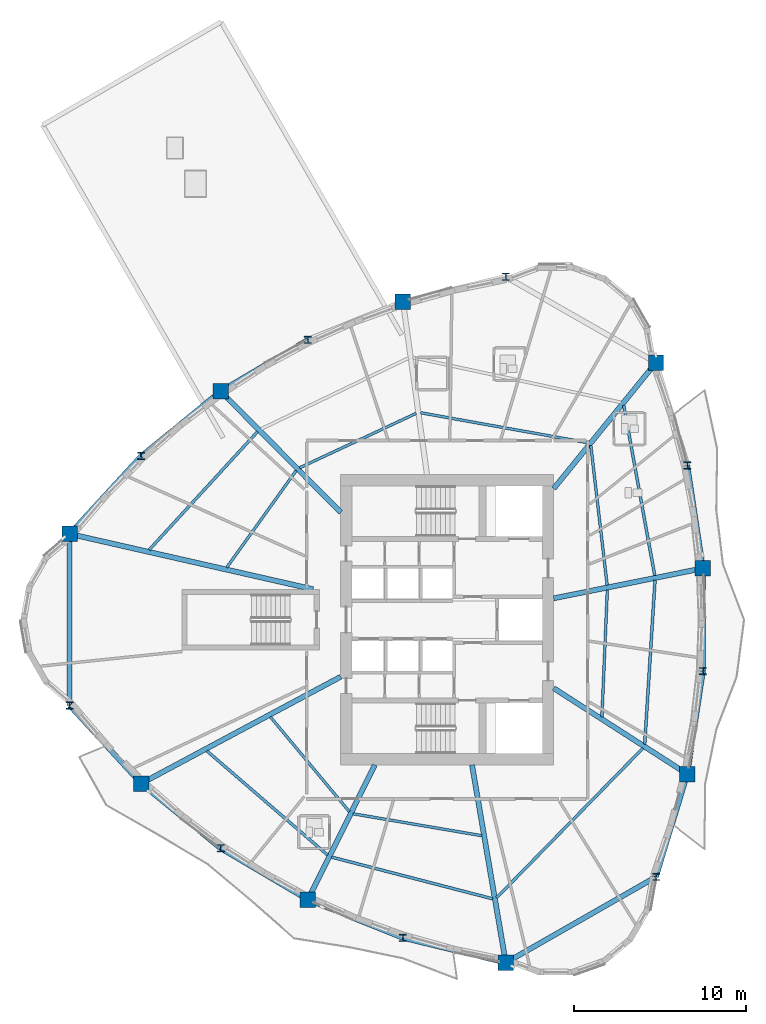
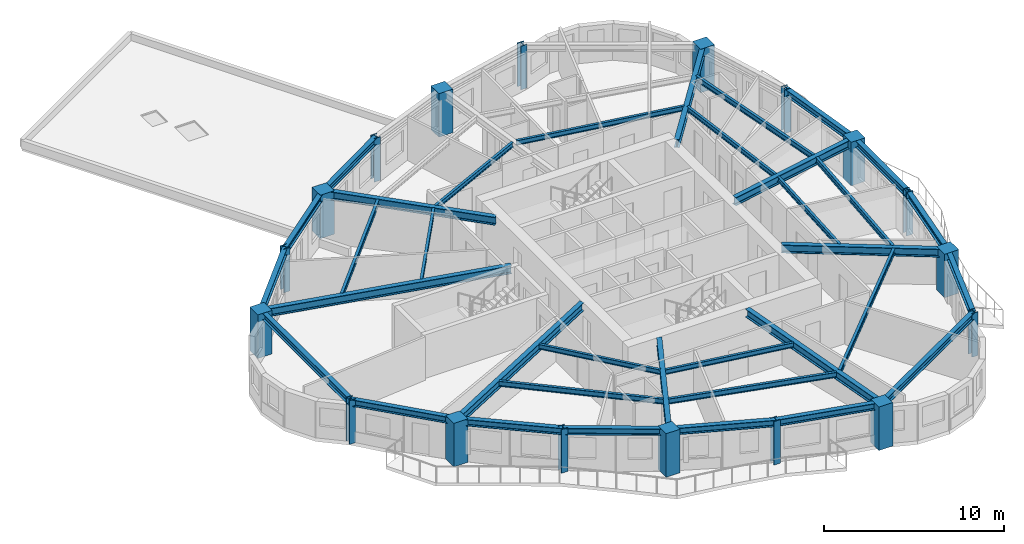
# One storey, part 1 of 13: 35 beams, 18 columns.
"""IFC4 building model written with IfcOpenShell, lengths in metres."""

from ifc_helpers import new_model, si_unit, direction, frame, origin, origin_2d, place, context, subcontext, project, spatial, rectangle, i_section, extrude, source, transform, mapped, material, material_profile, profile_set, type_object, element, save


model = new_model("IFC4")

# Units and contexts
model_context = context("Model", 3, precision=1e-05, world=origin(), true_north=direction((0.0, 1.0)))
body_context = subcontext(model_context, "Body", "Model", "MODEL_VIEW")
ifc_project = project(units=[si_unit("LENGTHUNIT", "METRE"), si_unit("AREAUNIT", "SQUARE_METRE"), si_unit("VOLUMEUNIT", "CUBIC_METRE"), si_unit("PLANEANGLEUNIT", "RADIAN"), si_unit("MASSUNIT", "GRAM", prefix="KILO")], contexts=[model_context])

# Site, building, storey
site_placement = place(None, origin())
site = spatial("IfcSite", under=ifc_project, at=site_placement, CompositionType="ELEMENT")
building_placement = place(site_placement, origin())
building = spatial("IfcBuilding", under=site, at=building_placement, Name="Qafzar Sky-Pleat Residences", CompositionType="ELEMENT")
storey_placement = place(building_placement, frame((0.0, 0.0, 89.60009765625)))
storey = spatial("IfcBuildingStorey", under=building, at=storey_placement, Name="L26", CompositionType="ELEMENT", Elevation=89.60009765625)

# Columns
ifc_material_1 = material(Name="Concrete C60/75", Category="concrete")
ifc_material_profile_1 = material_profile(ifc_material_1, rectangle(XDim=0.89990234375, YDim=0.89990234375, at=origin_2d()), Name="RC 900x900")
ifc_profile_set_1 = profile_set([ifc_material_profile_1], Name="Concrete C60/75")
column_type_1 = type_object("IfcColumnType", Name="COL-RC-900", PredefinedType="COLUMN", material=ifc_profile_set_1)
shared_shape_1 = source(origin(), body_context, "Body", "SweptSolid", [
    extrude(rectangle(XDim=0.89990234375, YDim=0.89990234375, at=origin_2d()), origin(), (0.0, 0.0, 1.0), 2.949951171875),
])
for number, where, z_axis, x_axis, name in (
    (1, (8.364990234375, 30.996337890625, 0.0), (0.0, 0.0, 1.0), (1.0, 0.0, 0.0), "L26 Perimeter Mega Column 1"),
    (2, (12.53369140625, 16.46533203125, 0.0), (0.0, 0.0, 1.0), (1.0, 0.0, 0.0), "L26 Perimeter Mega Column 3"),
    (3, (22.236328125, 9.705078125, 0.0), (0.0, 0.0, 1.0), (1.0, 0.0, 0.0), "L26 Perimeter Mega Column 5"),
    (4, (33.759521484375, 6.032470703125, 0.0), (0.0, 0.0, 1.0), (1.0, 0.0, 0.0), "L26 Perimeter Mega Column 7"),
    (5, (44.325439453125, 17.017333984375, 0.0), (0.0, 0.0, 1.0), (1.0, 0.0, 0.0), "L26 Perimeter Mega Column 9"),
    (6, (45.235595703125, 28.994140625, 0.0), (0.0, 0.0, 1.0), (1.0, 0.0, 0.0), "L26 Perimeter Mega Column 11"),
    (7, (42.5048828125, 40.97119140625, 0.0), (0.0, 0.0, 1.0), (1.0, 0.0, 0.0), "L26 Perimeter Mega Column 13"),
    (8, (27.770263671875, 44.517333984375, 0.0), (0.0, 0.0, 1.0), (1.0, 0.0, 0.0), "L26 Perimeter Mega Column 15"),
    (9, (17.157470703125, 39.30078125, 0.0), (0.0, 0.0, 1.0), (1.0, 0.0, 0.0), "L26 Perimeter Mega Column 17"),
):
    element("IfcColumn", number, at=place(storey_placement, frame(where, z_axis=z_axis, x_axis=x_axis)), inside=storey, type_object=column_type_1, Name=name, PredefinedType="COLUMN", context=body_context, shape_type="MappedRepresentation", body=[
        mapped(shared_shape_1, transform((0.0, 0.0, 0.0), x_axis=(1.0, 0.0, 0.0), y_axis=(0.0, 1.0, 0.0), z_axis=(0.0, 0.0, 1.0), scale=1.0)),
    ])
ifc_material_2 = material(Name="Steel S460", Category="steel")
ifc_material_profile_2 = material_profile(ifc_material_2, i_section(OverallWidth=0.406005859375, OverallDepth=0.416015625, WebThickness=0.027099609375, FlangeThickness=0.0439453125, FilletRadius=0.014892578125, at=origin_2d()), Name="HD 400x382")
ifc_profile_set_2 = profile_set([ifc_material_profile_2], Name="Steel S460")
column_type_2 = type_object("IfcColumnType", Name="COL-STL-HD382", PredefinedType="PILASTER", material=ifc_profile_set_2)
shared_shape_2 = source(origin(), body_context, "Body", "SweptSolid", [
    extrude(i_section(OverallWidth=0.406005859375, OverallDepth=0.416015625, WebThickness=0.027099609375, FlangeThickness=0.0439453125, FilletRadius=0.014892578125, at=origin_2d()), origin(), (0.0, 0.0, 1.0), 2.949951171875),
])
for number, where, z_axis, x_axis, name in (
    (10, (8.364990234375, 21.003662109375, 0.0), (0.0, 0.0, 1.0), (1.0, 0.0, 0.0), "L26 Perimeter Mega Column 2"),
    (11, (17.157470703125, 12.69921875, 0.0), (0.0, 0.0, 1.0), (1.0, 0.0, 0.0), "L26 Perimeter Mega Column 4"),
    (12, (27.770263671875, 7.482666015625, 0.0), (0.0, 0.0, 1.0), (1.0, 0.0, 0.0), "L26 Perimeter Mega Column 6"),
    (13, (42.5048828125, 11.02880859375, 0.0), (0.0, 0.0, 1.0), (1.0, 0.0, 0.0), "L26 Perimeter Mega Column 8"),
    (14, (45.235595703125, 23.005859375, 0.0), (0.0, 0.0, 1.0), (1.0, 0.0, 0.0), "L26 Perimeter Mega Column 10"),
    (15, (44.325439453125, 34.982666015625, 0.0), (0.0, 0.0, 1.0), (1.0, 0.0, 0.0), "L26 Perimeter Mega Column 12"),
    (16, (33.759521484375, 45.967529296875, 0.0), (0.0, 0.0, 1.0), (1.0, 0.0, 0.0), "L26 Perimeter Mega Column 14"),
    (17, (22.236328125, 42.294921875, 0.0), (0.0, 0.0, 1.0), (1.0, 0.0, 0.0), "L26 Perimeter Mega Column 16"),
    (18, (12.53369140625, 35.53466796875, 0.0), (0.0, 0.0, 1.0), (1.0, 0.0, 0.0), "L26 Perimeter Mega Column 18"),
):
    element("IfcColumn", number, at=place(storey_placement, frame(where, z_axis=z_axis, x_axis=x_axis)), inside=storey, type_object=column_type_2, Name=name, PredefinedType="PILASTER", context=body_context, shape_type="MappedRepresentation", body=[
        mapped(shared_shape_2, transform((0.0, 0.0, 0.0), x_axis=(1.0, 0.0, 0.0), y_axis=(0.0, 1.0, 0.0), z_axis=(0.0, 0.0, 1.0), scale=1.0)),
    ])

# Beams
ifc_material_3 = material(Name="Steel S355", Category="steel")
ifc_material_profile_3 = material_profile(ifc_material_3, i_section(OverallWidth=0.300048828125, OverallDepth=0.449951171875, WebThickness=0.013916015625, FlangeThickness=0.02587890625, FilletRadius=0.027099609375, at=origin_2d()), Name="HEB 450")
ifc_profile_set_3 = profile_set([ifc_material_profile_3], Name="Steel S355")
beam_type_1 = type_object("IfcBeamType", Name="BM-SPAN-HEB450", PredefinedType="SPANDREL", material=ifc_profile_set_3)
shared_shape_3 = source(origin(), body_context, "Body", "SweptSolid", [
    extrude(i_section(OverallWidth=0.300048828125, OverallDepth=0.449951171875, WebThickness=0.013916015625, FlangeThickness=0.02587890625, FilletRadius=0.027099609375, at=origin_2d()), origin(), (0.0, 0.0, 1.0), 10.072021484375),
])
beam_1_placement = place(storey_placement, frame((33.759521484375, 6.032470703125, 2.722900390625), z_axis=(0.868286397172, 0.496063234363, 0.0), x_axis=(-0.496063234363, 0.868286397172, 0.0)))
element("IfcBeam", 19, at=beam_1_placement, inside=storey, type_object=beam_type_1, Name="L26 Perimeter Spandrel Beam 7", PredefinedType="SPANDREL", context=body_context, shape_type="MappedRepresentation", body=[
    mapped(shared_shape_3, transform((0.0, 0.0, 0.0), x_axis=(1.0, 0.0, 0.0), y_axis=(0.0, 1.0, 0.0), z_axis=(0.0, 0.0, 1.0), scale=1.0)),
])
shared_shape_4 = source(origin(), body_context, "Body", "SweptSolid", [
    extrude(i_section(OverallWidth=0.300048828125, OverallDepth=0.449951171875, WebThickness=0.013916015625, FlangeThickness=0.02587890625, FilletRadius=0.027099609375, at=origin_2d()), origin(), (0.0, 0.0, 1.0), 9.99267578125),
])
beam_2_placement = place(storey_placement, frame((8.364990234375, 30.996337890625, 2.722900390625), z_axis=(0.0, -1.0, 0.0), x_axis=(1.0, 0.0, 0.0)))
element("IfcBeam", 20, at=beam_2_placement, inside=storey, type_object=beam_type_1, Name="L26 Perimeter Spandrel Beam 1", PredefinedType="SPANDREL", context=body_context, shape_type="MappedRepresentation", body=[
    mapped(shared_shape_4, transform((0.0, 0.0, 0.0), x_axis=(1.0, 0.0, 0.0), y_axis=(0.0, 1.0, 0.0), z_axis=(0.0, 0.0, 1.0), scale=1.0)),
])
shared_shape_5 = source(origin(), body_context, "Body", "SweptSolid", [
    extrude(i_section(OverallWidth=0.300048828125, OverallDepth=0.449951171875, WebThickness=0.013916015625, FlangeThickness=0.02587890625, FilletRadius=0.027099609375, at=origin_2d()), origin(), (0.0, 0.0, 1.0), 6.162353515625),
])
for number, where, z_axis, x_axis, name in (
    (21, (8.364990234375, 21.003662109375, 2.722900390625), (0.676479559829, -0.736461407769, 0.0), (0.736461407769, 0.676479559829, 0.0), "L26 Perimeter Spandrel Beam 2"),
    (22, (27.770263671875, 7.482666015625, 2.722900390625), (0.971914942444, -0.235332413098, 0.0), (0.235332413098, 0.971914942444, 0.0), "L26 Perimeter Spandrel Beam 6"),
    (23, (12.53369140625, 35.53466796875, 2.722900390625), (-0.676479559829, -0.736461407769, 0.0), (0.736461407769, -0.676479559829, 0.0), "L26 Perimeter Spandrel Beam 18"),
):
    element("IfcBeam", number, at=place(storey_placement, frame(where, z_axis=z_axis, x_axis=x_axis)), inside=storey, type_object=beam_type_1, Name=name, PredefinedType="SPANDREL", context=body_context, shape_type="MappedRepresentation", body=[
        mapped(shared_shape_5, transform((0.0, 0.0, 0.0), x_axis=(1.0, 0.0, 0.0), y_axis=(0.0, 1.0, 0.0), z_axis=(0.0, 0.0, 1.0), scale=1.0)),
    ])
shared_shape_6 = source(origin(), body_context, "Body", "SweptSolid", [
    extrude(i_section(OverallWidth=0.300048828125, OverallDepth=0.449951171875, WebThickness=0.013916015625, FlangeThickness=0.02587890625, FilletRadius=0.027099609375, at=origin_2d()), origin(), (0.0, 0.0, 1.0), 5.96337890625),
])
for number, where, z_axis, x_axis, name in (
    (24, (12.53369140625, 16.46533203125, 2.722900390625), (0.775350804249, -0.631530783375, 0.0), (0.631530783375, 0.775350804249, 0.0), "L26 Perimeter Spandrel Beam 3"),
    (25, (17.157470703125, 39.30078125, 2.722900390625), (-0.775350804249, -0.631530783375, 0.0), (0.631530783375, -0.775350804249, 0.0), "L26 Perimeter Spandrel Beam 17"),
):
    element("IfcBeam", number, at=place(storey_placement, frame(where, z_axis=z_axis, x_axis=x_axis)), inside=storey, type_object=beam_type_1, Name=name, PredefinedType="SPANDREL", context=body_context, shape_type="MappedRepresentation", body=[
        mapped(shared_shape_6, transform((0.0, 0.0, 0.0), x_axis=(1.0, 0.0, 0.0), y_axis=(0.0, 1.0, 0.0), z_axis=(0.0, 0.0, 1.0), scale=1.0)),
    ])
shared_shape_7 = source(origin(), body_context, "Body", "SweptSolid", [
    extrude(i_section(OverallWidth=0.300048828125, OverallDepth=0.449951171875, WebThickness=0.013916015625, FlangeThickness=0.02587890625, FilletRadius=0.027099609375, at=origin_2d()), origin(), (0.0, 0.0, 1.0), 5.895751953125),
])
for number, where, z_axis, x_axis, name in (
    (26, (17.157470703125, 12.69921875, 2.722900390625), (0.861446267845, -0.507848725129, 0.0), (0.507848725129, 0.861446267845, 0.0), "L26 Perimeter Spandrel Beam 4"),
    (27, (22.236328125, 42.294921875, 2.722900390625), (-0.861446267845, -0.507848725129, 0.0), (0.507848725129, -0.861446267845, 0.0), "L26 Perimeter Spandrel Beam 16"),
):
    element("IfcBeam", number, at=place(storey_placement, frame(where, z_axis=z_axis, x_axis=x_axis)), inside=storey, type_object=beam_type_1, Name=name, PredefinedType="SPANDREL", context=body_context, shape_type="MappedRepresentation", body=[
        mapped(shared_shape_7, transform((0.0, 0.0, 0.0), x_axis=(1.0, 0.0, 0.0), y_axis=(0.0, 1.0, 0.0), z_axis=(0.0, 0.0, 1.0), scale=1.0)),
    ])
shared_shape_8 = source(origin(), body_context, "Body", "SweptSolid", [
    extrude(i_section(OverallWidth=0.300048828125, OverallDepth=0.449951171875, WebThickness=0.013916015625, FlangeThickness=0.02587890625, FilletRadius=0.027099609375, at=origin_2d()), origin(), (0.0, 0.0, 1.0), 5.963623046875),
])
beam_3_placement = place(storey_placement, frame((22.236328125, 9.705078125, 2.722900390625), z_axis=(0.92796478, -0.372667904546, 0.0), x_axis=(0.372667904546, 0.92796478, 0.0)))
element("IfcBeam", 28, at=beam_3_placement, inside=storey, type_object=beam_type_1, Name="L26 Perimeter Spandrel Beam 5", PredefinedType="SPANDREL", context=body_context, shape_type="MappedRepresentation", body=[
    mapped(shared_shape_8, transform((0.0, 0.0, 0.0), x_axis=(1.0, 0.0, 0.0), y_axis=(0.0, 1.0, 0.0), z_axis=(0.0, 0.0, 1.0), scale=1.0)),
])
shared_shape_9 = source(origin(), body_context, "Body", "SweptSolid", [
    extrude(i_section(OverallWidth=0.300048828125, OverallDepth=0.449951171875, WebThickness=0.013916015625, FlangeThickness=0.02587890625, FilletRadius=0.027099609375, at=origin_2d()), origin(), (0.0, 0.0, 1.0), 6.259033203125),
])
beam_4_placement = place(storey_placement, frame((42.5048828125, 11.02880859375, 2.722900390625), z_axis=(0.290863594667, 0.956764531793, 0.0), x_axis=(-0.956764531793, 0.290863594667, 0.0)))
element("IfcBeam", 29, at=beam_4_placement, inside=storey, type_object=beam_type_1, Name="L26 Perimeter Spandrel Beam 8", PredefinedType="SPANDREL", context=body_context, shape_type="MappedRepresentation", body=[
    mapped(shared_shape_9, transform((0.0, 0.0, 0.0), x_axis=(1.0, 0.0, 0.0), y_axis=(0.0, 1.0, 0.0), z_axis=(0.0, 0.0, 1.0), scale=1.0)),
])
shared_shape_10 = source(origin(), body_context, "Body", "SweptSolid", [
    extrude(i_section(OverallWidth=0.300048828125, OverallDepth=0.449951171875, WebThickness=0.013916015625, FlangeThickness=0.02587890625, FilletRadius=0.027099609375, at=origin_2d()), origin(), (0.0, 0.0, 1.0), 6.057373046875),
])
for number, where, z_axis, x_axis, name in (
    (30, (44.325439453125, 17.017333984375, 2.722900390625), (0.150257874902, 0.988646838376, 0.0), (-0.988646838376, 0.150257874902, 0.0), "L26 Perimeter Spandrel Beam 9"),
    (31, (45.235595703125, 28.994140625, 2.722900390625), (-0.150257874902, 0.988646838376, 0.0), (-0.988646838376, -0.150257874902, 0.0), "L26 Perimeter Spandrel Beam 11"),
):
    element("IfcBeam", number, at=place(storey_placement, frame(where, z_axis=z_axis, x_axis=x_axis)), inside=storey, type_object=beam_type_1, Name=name, PredefinedType="SPANDREL", context=body_context, shape_type="MappedRepresentation", body=[
        mapped(shared_shape_10, transform((0.0, 0.0, 0.0), x_axis=(1.0, 0.0, 0.0), y_axis=(0.0, 1.0, 0.0), z_axis=(0.0, 0.0, 1.0), scale=1.0)),
    ])
shared_shape_11 = source(origin(), body_context, "Body", "SweptSolid", [
    extrude(i_section(OverallWidth=0.300048828125, OverallDepth=0.449951171875, WebThickness=0.013916015625, FlangeThickness=0.02587890625, FilletRadius=0.027099609375, at=origin_2d()), origin(), (0.0, 0.0, 1.0), 5.98828125),
])
beam_5_placement = place(storey_placement, frame((45.235595703125, 23.005859375, 2.722900390625), z_axis=(0.0, 1.0, 0.0), x_axis=(-1.0, 0.0, 0.0)))
element("IfcBeam", 32, at=beam_5_placement, inside=storey, type_object=beam_type_1, Name="L26 Perimeter Spandrel Beam 10", PredefinedType="SPANDREL", context=body_context, shape_type="MappedRepresentation", body=[
    mapped(shared_shape_11, transform((0.0, 0.0, 0.0), x_axis=(1.0, 0.0, 0.0), y_axis=(0.0, 1.0, 0.0), z_axis=(0.0, 0.0, 1.0), scale=1.0)),
])
ifc_material_profile_4 = material_profile(ifc_material_3, i_section(OverallWidth=0.300048828125, OverallDepth=0.550048828125, WebThickness=0.014892578125, FlangeThickness=0.029052734375, FilletRadius=0.027099609375, at=origin_2d()), Name="HEB 550")
ifc_profile_set_4 = profile_set([ifc_material_profile_4], Name="Steel S355")
beam_type_2 = type_object("IfcBeamType", Name="BM-GIRD-HEB550", PredefinedType="BEAM", material=ifc_profile_set_4)
shared_shape_12 = source(origin(), body_context, "Body", "SweptSolid", [
    extrude(i_section(OverallWidth=0.300048828125, OverallDepth=0.550048828125, WebThickness=0.014892578125, FlangeThickness=0.029052734375, FilletRadius=0.027099609375, at=origin_2d()), origin(), (0.0, 0.0, 1.0), 14.536376953125),
])
beam_6_placement = place(storey_placement, frame((8.364990234375, 30.996337890625, 2.6728515625), z_axis=(0.975134505596, -0.221613844322, 0.0), x_axis=(0.221613844322, 0.975134505596, 0.0)))
element("IfcBeam", 33, at=beam_6_placement, inside=storey, type_object=beam_type_2, Name="L26 Radial Floor Girder 1", PredefinedType="BEAM", context=body_context, shape_type="MappedRepresentation", body=[
    mapped(shared_shape_12, transform((0.0, 0.0, 0.0), x_axis=(1.0, 0.0, 0.0), y_axis=(0.0, 1.0, 0.0), z_axis=(0.0, 0.0, 1.0), scale=1.0)),
])
shared_shape_13 = source(origin(), body_context, "Body", "SweptSolid", [
    extrude(i_section(OverallWidth=0.300048828125, OverallDepth=0.550048828125, WebThickness=0.014892578125, FlangeThickness=0.029052734375, FilletRadius=0.027099609375, at=origin_2d()), origin(), (0.0, 0.0, 1.0), 13.175048828125),
])
beam_7_placement = place(storey_placement, frame((12.53369140625, 16.46533203125, 2.6728515625), z_axis=(0.881682641065, 0.471842898055, 0.0), x_axis=(-0.471842898055, 0.881682641065, 0.0)))
element("IfcBeam", 34, at=beam_7_placement, inside=storey, type_object=beam_type_2, Name="L26 Radial Floor Girder 3", PredefinedType="BEAM", context=body_context, shape_type="MappedRepresentation", body=[
    mapped(shared_shape_13, transform((0.0, 0.0, 0.0), x_axis=(1.0, 0.0, 0.0), y_axis=(0.0, 1.0, 0.0), z_axis=(0.0, 0.0, 1.0), scale=1.0)),
])
shared_shape_14 = source(origin(), body_context, "Body", "SweptSolid", [
    extrude(i_section(OverallWidth=0.300048828125, OverallDepth=0.550048828125, WebThickness=0.014892578125, FlangeThickness=0.029052734375, FilletRadius=0.027099609375, at=origin_2d()), origin(), (0.0, 0.0, 1.0), 8.763671875),
])
beam_8_placement = place(storey_placement, frame((22.236328125, 9.705078125, 2.6728515625), z_axis=(0.445730926233, 0.89516699079, 0.0), x_axis=(-0.89516699079, 0.445730926233, 0.0)))
element("IfcBeam", 35, at=beam_8_placement, inside=storey, type_object=beam_type_2, Name="L26 Radial Floor Girder 5", PredefinedType="BEAM", context=body_context, shape_type="MappedRepresentation", body=[
    mapped(shared_shape_14, transform((0.0, 0.0, 0.0), x_axis=(1.0, 0.0, 0.0), y_axis=(0.0, 1.0, 0.0), z_axis=(0.0, 0.0, 1.0), scale=1.0)),
])
shared_shape_15 = source(origin(), body_context, "Body", "SweptSolid", [
    extrude(i_section(OverallWidth=0.300048828125, OverallDepth=0.550048828125, WebThickness=0.014892578125, FlangeThickness=0.029052734375, FilletRadius=0.027099609375, at=origin_2d()), origin(), (0.0, 0.0, 1.0), 11.684326171875),
])
beam_9_placement = place(storey_placement, frame((33.759521484375, 6.032470703125, 2.6728515625), z_axis=(-0.168328155198, 0.985731014105, 0.0), x_axis=(-0.985731014105, -0.168328155198, 0.0)))
element("IfcBeam", 36, at=beam_9_placement, inside=storey, type_object=beam_type_2, Name="L26 Radial Floor Girder 7", PredefinedType="BEAM", context=body_context, shape_type="MappedRepresentation", body=[
    mapped(shared_shape_15, transform((0.0, 0.0, 0.0), x_axis=(1.0, 0.0, 0.0), y_axis=(0.0, 1.0, 0.0), z_axis=(0.0, 0.0, 1.0), scale=1.0)),
])
shared_shape_16 = source(origin(), body_context, "Body", "SweptSolid", [
    extrude(i_section(OverallWidth=0.300048828125, OverallDepth=0.550048828125, WebThickness=0.014892578125, FlangeThickness=0.029052734375, FilletRadius=0.027099609375, at=origin_2d()), origin(), (0.0, 0.0, 1.0), 9.242919921875),
])
beam_10_placement = place(storey_placement, frame((44.325439453125, 17.017333984375, 2.6728515625), z_axis=(-0.841223099247, 0.540688170107, 0.0), x_axis=(-0.540688170107, -0.841223099247, 0.0)))
element("IfcBeam", 37, at=beam_10_placement, inside=storey, type_object=beam_type_2, Name="L26 Radial Floor Girder 9", PredefinedType="BEAM", context=body_context, shape_type="MappedRepresentation", body=[
    mapped(shared_shape_16, transform((0.0, 0.0, 0.0), x_axis=(1.0, 0.0, 0.0), y_axis=(0.0, 1.0, 0.0), z_axis=(0.0, 0.0, 1.0), scale=1.0)),
])
shared_shape_17 = source(origin(), body_context, "Body", "SweptSolid", [
    extrude(i_section(OverallWidth=0.300048828125, OverallDepth=0.550048828125, WebThickness=0.014892578125, FlangeThickness=0.029052734375, FilletRadius=0.027099609375, at=origin_2d()), origin(), (0.0, 0.0, 1.0), 8.859619140625),
])
beam_11_placement = place(storey_placement, frame((45.235595703125, 28.994140625, 2.6728515625), z_axis=(-0.980363864167, -0.197197093883, 0.0), x_axis=(0.197197093883, -0.980363864167, 0.0)))
element("IfcBeam", 38, at=beam_11_placement, inside=storey, type_object=beam_type_2, Name="L26 Radial Floor Girder 11", PredefinedType="BEAM", context=body_context, shape_type="MappedRepresentation", body=[
    mapped(shared_shape_17, transform((0.0, 0.0, 0.0), x_axis=(1.0, 0.0, 0.0), y_axis=(0.0, 1.0, 0.0), z_axis=(0.0, 0.0, 1.0), scale=1.0)),
])
shared_shape_18 = source(origin(), body_context, "Body", "SweptSolid", [
    extrude(i_section(OverallWidth=0.300048828125, OverallDepth=0.550048828125, WebThickness=0.014892578125, FlangeThickness=0.029052734375, FilletRadius=0.027099609375, at=origin_2d()), origin(), (0.0, 0.0, 1.0), 9.44775390625),
])
beam_12_placement = place(storey_placement, frame((42.5048828125, 40.97119140625, 2.6728515625), z_axis=(-0.63029780514, -0.776353448396, 0.0), x_axis=(0.776353448396, -0.63029780514, 0.0)))
element("IfcBeam", 39, at=beam_12_placement, inside=storey, type_object=beam_type_2, Name="L26 Radial Floor Girder 13", PredefinedType="BEAM", context=body_context, shape_type="MappedRepresentation", body=[
    mapped(shared_shape_18, transform((0.0, 0.0, 0.0), x_axis=(1.0, 0.0, 0.0), y_axis=(0.0, 1.0, 0.0), z_axis=(0.0, 0.0, 1.0), scale=1.0)),
])
shared_shape_19 = source(origin(), body_context, "Body", "SweptSolid", [
    extrude(i_section(OverallWidth=0.300048828125, OverallDepth=0.550048828125, WebThickness=0.014892578125, FlangeThickness=0.029052734375, FilletRadius=0.027099609375, at=origin_2d()), origin(), (0.0, 0.0, 1.0), 9.9296875),
])
beam_13_placement = place(storey_placement, frame((17.157470703125, 39.30078125, 2.6728515625), z_axis=(0.70419954962, -0.710002108669, 0.0), x_axis=(0.710002108669, 0.70419954962, 0.0)))
element("IfcBeam", 40, at=beam_13_placement, inside=storey, type_object=beam_type_2, Name="L26 Radial Floor Girder 17", PredefinedType="BEAM", context=body_context, shape_type="MappedRepresentation", body=[
    mapped(shared_shape_19, transform((0.0, 0.0, 0.0), x_axis=(1.0, 0.0, 0.0), y_axis=(0.0, 1.0, 0.0), z_axis=(0.0, 0.0, 1.0), scale=1.0)),
])
ifc_material_profile_5 = material_profile(ifc_material_3, i_section(OverallWidth=0.169921875, OverallDepth=0.360107421875, WebThickness=0.008056640625, FlangeThickness=0.0126953125, FilletRadius=0.01806640625, at=origin_2d()), Name="IPE 360")
ifc_profile_set_5 = profile_set([ifc_material_profile_5], Name="Steel S355")
beam_type_3 = type_object("IfcBeamType", Name="BM-JST-IPE360", PredefinedType="JOIST", material=ifc_profile_set_5)
shared_shape_20 = source(origin(), body_context, "Body", "SweptSolid", [
    extrude(i_section(OverallWidth=0.169921875, OverallDepth=0.360107421875, WebThickness=0.008056640625, FlangeThickness=0.0126953125, FilletRadius=0.01806640625, at=origin_2d()), origin(), (0.0, 0.0, 1.0), 9.2841796875),
])
beam_14_placement = place(storey_placement, frame((16.35302734375, 18.36669921875, 2.767822265625), z_axis=(0.757315332582, -0.65304937565, 0.0), x_axis=(0.65304937565, 0.757315332582, 0.0)))
element("IfcBeam", 41, at=beam_14_placement, inside=storey, type_object=beam_type_3, Name="L26 Outer Secondary Floor Joist 2", PredefinedType="JOIST", context=body_context, shape_type="MappedRepresentation", body=[
    mapped(shared_shape_20, transform((0.0, 0.0, 0.0), x_axis=(1.0, 0.0, 0.0), y_axis=(0.0, 1.0, 0.0), z_axis=(0.0, 0.0, 1.0), scale=1.0)),
])
shared_shape_21 = source(origin(), body_context, "Body", "SweptSolid", [
    extrude(i_section(OverallWidth=0.169921875, OverallDepth=0.360107421875, WebThickness=0.008056640625, FlangeThickness=0.0126953125, FilletRadius=0.01806640625, at=origin_2d()), origin(), (0.0, 0.0, 1.0), 9.692138671875),
])
beam_15_placement = place(storey_placement, frame((23.616943359375, 12.181640625, 2.767822265625), z_axis=(0.968067798789, -0.250688525762, 0.0), x_axis=(0.250688525762, 0.968067798789, 0.0)))
element("IfcBeam", 42, at=beam_15_placement, inside=storey, type_object=beam_type_3, Name="L26 Outer Secondary Floor Joist 3", PredefinedType="JOIST", context=body_context, shape_type="MappedRepresentation", body=[
    mapped(shared_shape_21, transform((0.0, 0.0, 0.0), x_axis=(1.0, 0.0, 0.0), y_axis=(0.0, 1.0, 0.0), z_axis=(0.0, 0.0, 1.0), scale=1.0)),
])
shared_shape_22 = source(origin(), body_context, "Body", "SweptSolid", [
    extrude(i_section(OverallWidth=0.169921875, OverallDepth=0.360107421875, WebThickness=0.008056640625, FlangeThickness=0.0126953125, FilletRadius=0.01806640625, at=origin_2d()), origin(), (0.0, 0.0, 1.0), 12.1796875),
])
beam_16_placement = place(storey_placement, frame((33.224609375, 9.814697265625, 2.767822265625), z_axis=(0.699387892568, 0.714742314215, 0.0), x_axis=(-0.714742314215, 0.699387892568, 0.0)))
element("IfcBeam", 43, at=beam_16_placement, inside=storey, type_object=beam_type_3, Name="L26 Outer Secondary Floor Joist 4", PredefinedType="JOIST", context=body_context, shape_type="MappedRepresentation", body=[
    mapped(shared_shape_22, transform((0.0, 0.0, 0.0), x_axis=(1.0, 0.0, 0.0), y_axis=(0.0, 1.0, 0.0), z_axis=(0.0, 0.0, 1.0), scale=1.0)),
])
shared_shape_23 = source(origin(), body_context, "Body", "SweptSolid", [
    extrude(i_section(OverallWidth=0.169921875, OverallDepth=0.360107421875, WebThickness=0.008056640625, FlangeThickness=0.0126953125, FilletRadius=0.01806640625, at=origin_2d()), origin(), (0.0, 0.0, 1.0), 9.568115234375),
])
beam_17_placement = place(storey_placement, frame((41.845703125, 18.751220703125, 2.767822265625), z_axis=(0.06292315375, 0.998018374942, 0.0), x_axis=(-0.998018374942, 0.06292315375, 0.0)))
element("IfcBeam", 44, at=beam_17_placement, inside=storey, type_object=beam_type_3, Name="L26 Outer Secondary Floor Joist 5", PredefinedType="JOIST", context=body_context, shape_type="MappedRepresentation", body=[
    mapped(shared_shape_23, transform((0.0, 0.0, 0.0), x_axis=(1.0, 0.0, 0.0), y_axis=(0.0, 1.0, 0.0), z_axis=(0.0, 0.0, 1.0), scale=1.0)),
])
shared_shape_24 = source(origin(), body_context, "Body", "SweptSolid", [
    extrude(i_section(OverallWidth=0.169921875, OverallDepth=0.360107421875, WebThickness=0.008056640625, FlangeThickness=0.0126953125, FilletRadius=0.01806640625, at=origin_2d()), origin(), (0.0, 0.0, 1.0), 10.0869140625),
])
beam_18_placement = place(storey_placement, frame((42.43212890625, 28.56787109375, 2.767822265625), z_axis=(-0.179302891897, 0.983793917931, 0.0), x_axis=(-0.983793917931, -0.179302891897, 0.0)))
element("IfcBeam", 45, at=beam_18_placement, inside=storey, type_object=beam_type_3, Name="L26 Outer Secondary Floor Joist 6", PredefinedType="JOIST", context=body_context, shape_type="MappedRepresentation", body=[
    mapped(shared_shape_24, transform((0.0, 0.0, 0.0), x_axis=(1.0, 0.0, 0.0), y_axis=(0.0, 1.0, 0.0), z_axis=(0.0, 0.0, 1.0), scale=1.0)),
])
shared_shape_25 = source(origin(), body_context, "Body", "SweptSolid", [
    extrude(i_section(OverallWidth=0.169921875, OverallDepth=0.360107421875, WebThickness=0.008056640625, FlangeThickness=0.0126953125, FilletRadius=0.01806640625, at=origin_2d()), origin(), (0.0, 0.0, 1.0), 9.336669921875),
])
beam_19_placement = place(storey_placement, frame((19.3037109375, 36.9453125, 2.767822265625), z_axis=(-0.675987450596, -0.736913133711, 0.0), x_axis=(0.736913133711, -0.675987450596, 0.0)))
element("IfcBeam", 46, at=beam_19_placement, inside=storey, type_object=beam_type_3, Name="L26 Outer Secondary Floor Joist 9", PredefinedType="JOIST", context=body_context, shape_type="MappedRepresentation", body=[
    mapped(shared_shape_25, transform((0.0, 0.0, 0.0), x_axis=(1.0, 0.0, 0.0), y_axis=(0.0, 1.0, 0.0), z_axis=(0.0, 0.0, 1.0), scale=1.0)),
])
ifc_material_profile_6 = material_profile(ifc_material_3, i_section(OverallWidth=0.159912109375, OverallDepth=0.330078125, WebThickness=0.007568359375, FlangeThickness=0.011474609375, FilletRadius=0.01806640625, at=origin_2d()), Name="IPE 330")
ifc_profile_set_6 = profile_set([ifc_material_profile_6], Name="Steel S355")
beam_type_4 = type_object("IfcBeamType", Name="BM-JST-IPE330", PredefinedType="JOIST", material=ifc_profile_set_6)
shared_shape_26 = source(origin(), body_context, "Body", "SweptSolid", [
    extrude(i_section(OverallWidth=0.159912109375, OverallDepth=0.330078125, WebThickness=0.007568359375, FlangeThickness=0.011474609375, FilletRadius=0.01806640625, at=origin_2d()), origin(), (0.0, 0.0, 1.0), 7.17529296875),
])
beam_20_placement = place(storey_placement, frame((20.0546875, 20.34033203125, 2.782958984375), z_axis=(0.640425334659, -0.7680204364, 0.0), x_axis=(0.7680204364, 0.640425334659, 0.0)))
element("IfcBeam", 47, at=beam_20_placement, inside=storey, type_object=beam_type_4, Name="L26 Inner Secondary Floor Joist 2", PredefinedType="JOIST", context=body_context, shape_type="MappedRepresentation", body=[
    mapped(shared_shape_26, transform((0.0, 0.0, 0.0), x_axis=(1.0, 0.0, 0.0), y_axis=(0.0, 1.0, 0.0), z_axis=(0.0, 0.0, 1.0), scale=1.0)),
])
shared_shape_27 = source(origin(), body_context, "Body", "SweptSolid", [
    extrude(i_section(OverallWidth=0.159912109375, OverallDepth=0.330078125, WebThickness=0.007568359375, FlangeThickness=0.011474609375, FilletRadius=0.01806640625, at=origin_2d()), origin(), (0.0, 0.0, 1.0), 7.606201171875),
])
beam_21_placement = place(storey_placement, frame((24.869384765625, 14.703125, 2.782958984375), z_axis=(0.98581450377, -0.167838506177, 0.0), x_axis=(0.167838506177, 0.98581450377, 0.0)))
element("IfcBeam", 48, at=beam_21_placement, inside=storey, type_object=beam_type_4, Name="L26 Inner Secondary Floor Joist 3", PredefinedType="JOIST", context=body_context, shape_type="MappedRepresentation", body=[
    mapped(shared_shape_27, transform((0.0, 0.0, 0.0), x_axis=(1.0, 0.0, 0.0), y_axis=(0.0, 1.0, 0.0), z_axis=(0.0, 0.0, 1.0), scale=1.0)),
])
shared_shape_28 = source(origin(), body_context, "Body", "SweptSolid", [
    extrude(i_section(OverallWidth=0.159912109375, OverallDepth=0.330078125, WebThickness=0.007568359375, FlangeThickness=0.011474609375, FilletRadius=0.01806640625, at=origin_2d()), origin(), (0.0, 0.0, 1.0), 7.3974609375),
])
beam_22_placement = place(storey_placement, frame((39.35498046875, 20.3505859375, 2.782958984375), z_axis=(0.042739715972, 0.999086240861, 0.0), x_axis=(-0.999086240861, 0.042739715972, 0.0)))
element("IfcBeam", 49, at=beam_22_placement, inside=storey, type_object=beam_type_4, Name="L26 Inner Secondary Floor Joist 5", PredefinedType="JOIST", context=body_context, shape_type="MappedRepresentation", body=[
    mapped(shared_shape_28, transform((0.0, 0.0, 0.0), x_axis=(1.0, 0.0, 0.0), y_axis=(0.0, 1.0, 0.0), z_axis=(0.0, 0.0, 1.0), scale=1.0)),
])
shared_shape_29 = source(origin(), body_context, "Body", "SweptSolid", [
    extrude(i_section(OverallWidth=0.159912109375, OverallDepth=0.330078125, WebThickness=0.007568359375, FlangeThickness=0.011474609375, FilletRadius=0.01806640625, at=origin_2d()), origin(), (0.0, 0.0, 1.0), 8.188232421875),
])
beam_23_placement = place(storey_placement, frame((39.6611328125, 28.010009765625, 2.782958984375), z_axis=(-0.116221911408, 0.993223271631, 0.0), x_axis=(-0.993223271631, -0.116221911408, 0.0)))
element("IfcBeam", 50, at=beam_23_placement, inside=storey, type_object=beam_type_4, Name="L26 Inner Secondary Floor Joist 6", PredefinedType="JOIST", context=body_context, shape_type="MappedRepresentation", body=[
    mapped(shared_shape_29, transform((0.0, 0.0, 0.0), x_axis=(1.0, 0.0, 0.0), y_axis=(0.0, 1.0, 0.0), z_axis=(0.0, 0.0, 1.0), scale=1.0)),
])
shared_shape_30 = source(origin(), body_context, "Body", "SweptSolid", [
    extrude(i_section(OverallWidth=0.159912109375, OverallDepth=0.330078125, WebThickness=0.007568359375, FlangeThickness=0.011474609375, FilletRadius=0.01806640625, at=origin_2d()), origin(), (0.0, 0.0, 1.0), 9.91552734375),
])
beam_24_placement = place(storey_placement, frame((38.560791015625, 36.30078125, 2.782958984375), z_axis=(-0.984311251138, 0.176440814109, 0.0), x_axis=(-0.176440814109, -0.984311251138, 0.0)))
element("IfcBeam", 51, at=beam_24_placement, inside=storey, type_object=beam_type_4, Name="L26 Inner Secondary Floor Joist 7", PredefinedType="JOIST", context=body_context, shape_type="MappedRepresentation", body=[
    mapped(shared_shape_30, transform((0.0, 0.0, 0.0), x_axis=(1.0, 0.0, 0.0), y_axis=(0.0, 1.0, 0.0), z_axis=(0.0, 0.0, 1.0), scale=1.0)),
])
shared_shape_31 = source(origin(), body_context, "Body", "SweptSolid", [
    extrude(i_section(OverallWidth=0.159912109375, OverallDepth=0.330078125, WebThickness=0.007568359375, FlangeThickness=0.011474609375, FilletRadius=0.01806640625, at=origin_2d()), origin(), (0.0, 0.0, 1.0), 7.49462890625),
])
beam_25_placement = place(storey_placement, frame((28.545654296875, 38.01708984375, 2.782958984375), z_axis=(-0.906074923142, -0.423117281204, 0.0), x_axis=(0.423117281204, -0.906074923142, 0.0)))
element("IfcBeam", 52, at=beam_25_placement, inside=storey, type_object=beam_type_4, Name="L26 Inner Secondary Floor Joist 8", PredefinedType="JOIST", context=body_context, shape_type="MappedRepresentation", body=[
    mapped(shared_shape_31, transform((0.0, 0.0, 0.0), x_axis=(1.0, 0.0, 0.0), y_axis=(0.0, 1.0, 0.0), z_axis=(0.0, 0.0, 1.0), scale=1.0)),
])
shared_shape_32 = source(origin(), body_context, "Body", "SweptSolid", [
    extrude(i_section(OverallWidth=0.159912109375, OverallDepth=0.330078125, WebThickness=0.007568359375, FlangeThickness=0.011474609375, FilletRadius=0.01806640625, at=origin_2d()), origin(), (0.0, 0.0, 1.0), 6.9326171875),
])
beam_26_placement = place(storey_placement, frame((21.553955078125, 34.67919921875, 2.782958984375), z_axis=(-0.582549962989, -0.812794894559, 0.0), x_axis=(0.812794894559, -0.582549962989, 0.0)))
element("IfcBeam", 53, at=beam_26_placement, inside=storey, type_object=beam_type_4, Name="L26 Inner Secondary Floor Joist 9", PredefinedType="JOIST", context=body_context, shape_type="MappedRepresentation", body=[
    mapped(shared_shape_32, transform((0.0, 0.0, 0.0), x_axis=(1.0, 0.0, 0.0), y_axis=(0.0, 1.0, 0.0), z_axis=(0.0, 0.0, 1.0), scale=1.0)),
])

save(model, "model.ifc")
